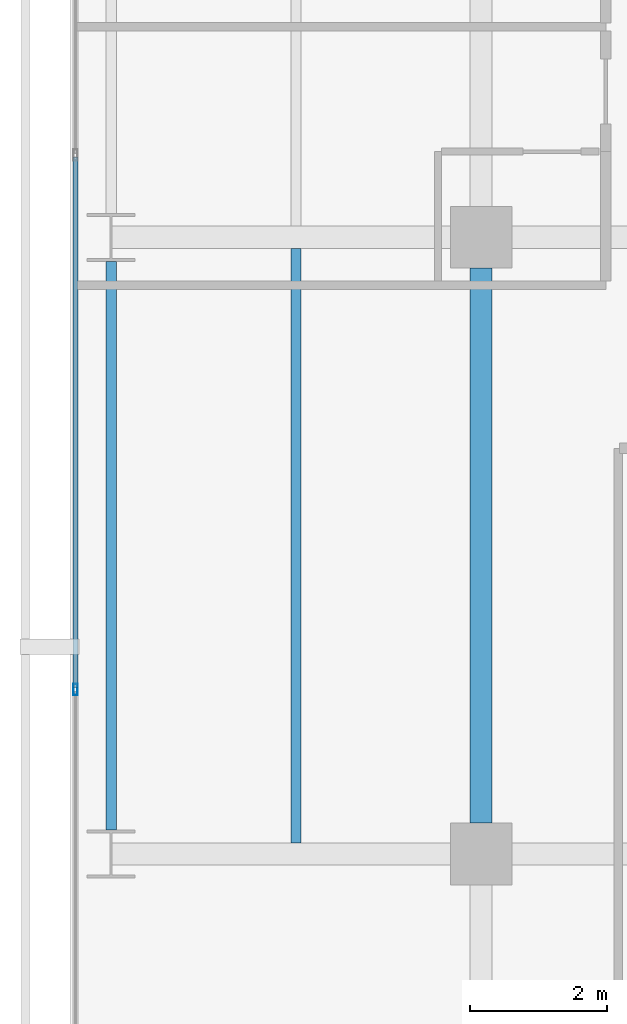
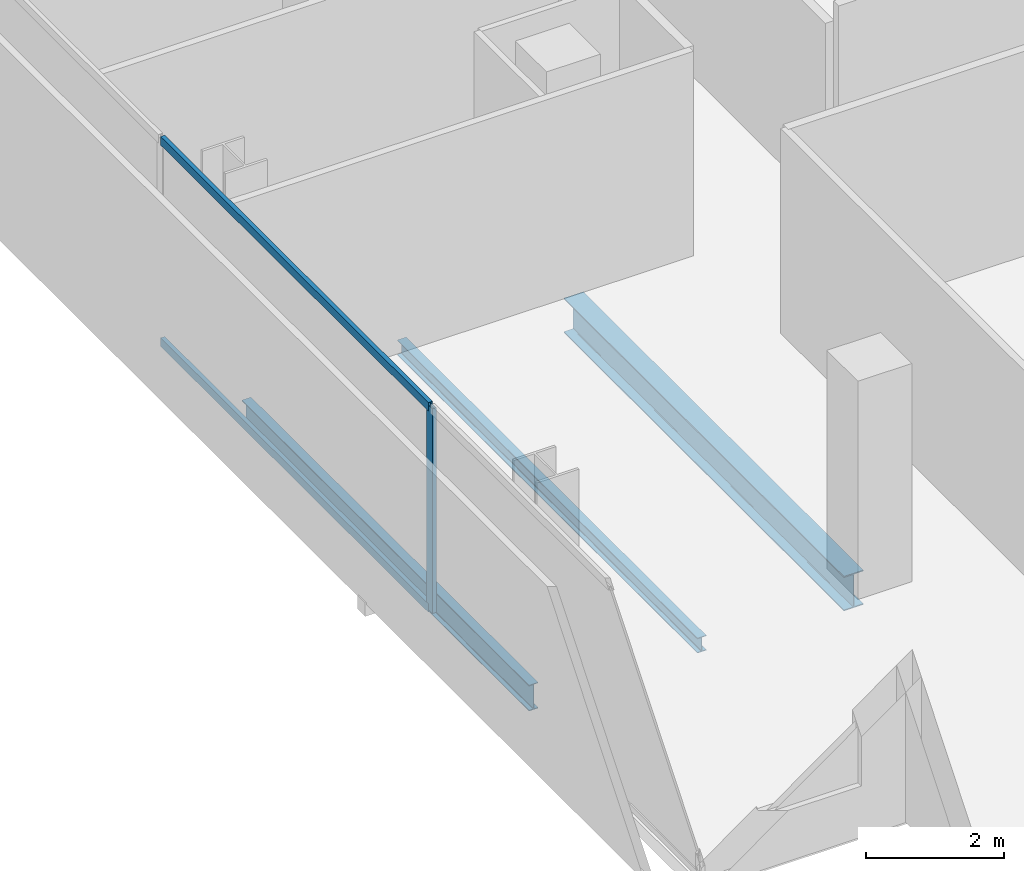
# One storey, part 5 of 40: 3 beams, 3 members, 1 element without a shape of its own.
"""IFC4 building model written with IfcOpenShell, lengths in metres."""

from ifc_helpers import new_model, si_unit, direction, frame, origin, origin_2d, place, context, subcontext, project, spatial, hollow_rectangle, i_section, extrude, material, layer, layer_set, material_profile, profile_set, type_object, element, aggregate, save


model = new_model("IFC4")

# Units and contexts
model_context = context("Model", 3, precision=1e-05, world=origin(), true_north=direction((0.0, 1.0)))
body_context = subcontext(model_context, "Body", "Model", "MODEL_VIEW")
ifc_project = project(units=[si_unit("LENGTHUNIT", "METRE"), si_unit("AREAUNIT", "SQUARE_METRE"), si_unit("VOLUMEUNIT", "CUBIC_METRE"), si_unit("PLANEANGLEUNIT", "RADIAN"), si_unit("MASSUNIT", "GRAM", prefix="KILO")], contexts=[model_context])

# Site, building, storey
site_placement = place(None, origin())
site = spatial("IfcSite", under=ifc_project, at=site_placement, CompositionType="ELEMENT")
building_placement = place(site_placement, origin())
building = spatial("IfcBuilding", under=site, at=building_placement, Name="Maruvema Waterfront Hotel and Observation Tower", CompositionType="ELEMENT")
storey_placement = place(building_placement, frame((0.0, 0.0, 103.949951171875)))
storey = spatial("IfcBuildingStorey", under=building, at=storey_placement, Name="L25", CompositionType="ELEMENT", Elevation=103.949951171875)

# Curtain wall, members
ifc_material_1 = material(Name="Anodised bronze aluminium and solar-control low-E IGU", Category="aluminium")
ifc_layer = layer(ifc_material_1, 0.159912109375, Name="Zone 1 Bronze Inner Thermal Curtain Wall System CW-02")
ifc_layer_set = layer_set([ifc_layer], Name="Anodised bronze aluminium and solar-control low-E IGU")
curtain_wall_type = type_object("IfcCurtainWallType", Name="Zone 1 Bronze Inner Thermal Curtain Wall System CW-02", PredefinedType="USERDEFINED", material=ifc_layer_set)
curtain_wall_placement = place(storey_placement, origin())
curtain_wall = element("IfcCurtainWall", 1, at=curtain_wall_placement, inside=storey, type_object=curtain_wall_type, Name="L25 Curtain Wall CW-L25-W", ObjectType="UNITISED CURTAIN WALL", PredefinedType="USERDEFINED")
ifc_material_2 = material(Name="Anodised architectural bronze aluminium", Category="aluminium")
ifc_material_profile_1 = material_profile(ifc_material_2, hollow_rectangle(XDim=0.070068359375, YDim=0.14990234375, WallThickness=0.00390625, at=origin_2d()), Name="ALU-T70x150")
ifc_profile_set_1 = profile_set([ifc_material_profile_1], Name="Anodised architectural bronze aluminium")
member_type_1 = type_object("IfcMemberType", Name="Curtain Wall Horizontal Transom ALU-T70x150", PredefinedType="USERDEFINED", material=ifc_profile_set_1)
member_1_placement = place(storey_placement, frame((10.8798828125, 19.169921875, 0.030029296875), z_axis=(0.0, -1.0, 0.0), x_axis=(1.0, 0.0, 0.0)))
member_1 = element("IfcMember", 2, at=member_1_placement, type_object=member_type_1, Name="CW-02 transom 5.1", ObjectType="TRANSOM", PredefinedType="USERDEFINED", context=body_context, shape_type="SweptSolid", body=[
    extrude(hollow_rectangle(XDim=0.070068359375, YDim=0.14990234375, WallThickness=0.00390625, at=origin_2d()), origin(), (0.0, 0.0, 1.0), 7.739990234375),
])
member_2_placement = place(storey_placement, frame((10.8798828125, 19.169921875, 3.580078125), z_axis=(0.0, -1.0, 0.0), x_axis=(1.0, 0.0, 0.0)))
member_2 = element("IfcMember", 3, at=member_2_placement, type_object=member_type_1, Name="CW-02 transom 5.2", ObjectType="TRANSOM", PredefinedType="USERDEFINED", context=body_context, shape_type="SweptSolid", body=[
    extrude(hollow_rectangle(XDim=0.070068359375, YDim=0.14990234375, WallThickness=0.00390625, at=origin_2d()), origin(), (0.0, 0.0, 1.0), 7.739990234375),
])
ifc_material_3 = material(Name="Anodised architectural bronze aluminium", Category="aluminium")
ifc_material_profile_2 = material_profile(ifc_material_3, hollow_rectangle(XDim=0.06494140625, YDim=0.1650390625, WallThickness=0.00390625, at=origin_2d()), Name="ALU-M65x165")
ifc_profile_set_2 = profile_set([ifc_material_profile_2], Name="Anodised architectural bronze aluminium")
member_type_2 = type_object("IfcMemberType", Name="Curtain Wall Primary Mullion ALU-M65x165", PredefinedType="MULLION", material=ifc_profile_set_2)
member_3_placement = place(storey_placement, frame((10.8798828125, 11.39990234375, 0.0), z_axis=(0.0, 0.0, 1.0), x_axis=(1.0, 0.0, 0.0)))
member_3 = element("IfcMember", 4, at=member_3_placement, type_object=member_type_2, Name="CW-02 mullion 6", PredefinedType="MULLION", context=body_context, shape_type="SweptSolid", body=[
    extrude(hollow_rectangle(XDim=0.06494140625, YDim=0.1650390625, WallThickness=0.00390625, at=origin_2d()), origin(), (0.0, 0.0, 1.0), 3.610107421875),
])
aggregate(curtain_wall, [member_3, member_1, member_2])

# Beams
ifc_material_4 = material(Name="Steel ASTM A572 Grade 50", Category="steel")
ifc_material_profile_3 = material_profile(ifc_material_4, i_section(OverallWidth=0.153076171875, OverallDepth=0.455078125, WebThickness=0.008056640625, FlangeThickness=0.01318359375, FilletRadius=0.014892578125, at=origin_2d()), Name="W460x60.0")
ifc_profile_set_3 = profile_set([ifc_material_profile_3], Name="Steel ASTM A572 Grade 50")
beam_type_1 = type_object("IfcBeamType", Name="Perimeter Spandrel Beam W460x60.0", PredefinedType="SPANDREL", material=ifc_profile_set_3)
beam_1_placement = place(storey_placement, frame((11.39990234375, 9.35009765625, -0.467529296875), z_axis=(0.0, 1.0, 0.0), x_axis=(-1.0, 0.0, 0.0)))
element("IfcBeam", 5, at=beam_1_placement, inside=storey, type_object=beam_type_1, Name="L25 Floor Girder NS-01", PredefinedType="SPANDREL", context=body_context, shape_type="SweptSolid", body=[
    extrude(i_section(OverallWidth=0.153076171875, OverallDepth=0.455078125, WebThickness=0.008056640625, FlangeThickness=0.01318359375, FilletRadius=0.014892578125, at=origin_2d()), origin(), (0.0, 0.0, 1.0), 8.2998046875),
])
ifc_material_5 = material(Name="Steel ASTM A572 Grade 50", Category="steel")
ifc_material_profile_4 = material_profile(ifc_material_5, i_section(OverallWidth=0.323974609375, OverallDepth=0.611083984375, WebThickness=0.0126953125, FlangeThickness=0.01904296875, FilletRadius=0.01806640625, at=origin_2d()), Name="W610x155.0")
ifc_profile_set_4 = profile_set([ifc_material_profile_4], Name="Steel ASTM A572 Grade 50")
beam_type_2 = type_object("IfcBeamType", Name="Primary Floor Girder W610x155.0", PredefinedType="BEAM", material=ifc_profile_set_4)
beam_2_placement = place(storey_placement, frame((16.800048828125, 9.449951171875, -0.54541015625), z_axis=(0.0, 1.0, 0.0), x_axis=(-1.0, 0.0, 0.0)))
element("IfcBeam", 6, at=beam_2_placement, inside=storey, type_object=beam_type_2, Name="L25 Floor Girder NS-06", PredefinedType="BEAM", context=body_context, shape_type="SweptSolid", body=[
    extrude(i_section(OverallWidth=0.323974609375, OverallDepth=0.611083984375, WebThickness=0.0126953125, FlangeThickness=0.01904296875, FilletRadius=0.01806640625, at=origin_2d()), origin(), (0.0, 0.0, 1.0), 8.10009765625),
])
ifc_material_6 = material(Name="Steel ASTM A572 Grade 50", Category="steel")
ifc_material_profile_5 = material_profile(ifc_material_6, i_section(OverallWidth=0.14794921875, OverallDepth=0.26611328125, WebThickness=0.007568359375, FlangeThickness=0.012939453125, FilletRadius=0.012939453125, at=origin_2d()), Name="W250x44.8")
ifc_profile_set_5 = profile_set([ifc_material_profile_5], Name="Steel ASTM A572 Grade 50")
beam_type_3 = type_object("IfcBeamType", Name="Secondary Floor Joist W250x44.8", PredefinedType="JOIST", material=ifc_profile_set_5)
beam_3_placement = place(storey_placement, frame((14.10009765625, 9.162109375, -0.373046875), z_axis=(0.0, 1.0, 0.0), x_axis=(-1.0, 0.0, 0.0)))
element("IfcBeam", 7, at=beam_3_placement, inside=storey, type_object=beam_type_3, Name="L25 Secondary Floor Joist JS-01", PredefinedType="JOIST", context=body_context, shape_type="SweptSolid", body=[
    extrude(i_section(OverallWidth=0.14794921875, OverallDepth=0.26611328125, WebThickness=0.007568359375, FlangeThickness=0.012939453125, FilletRadius=0.012939453125, at=origin_2d()), origin(), (0.0, 0.0, 1.0), 8.67578125),
])

save(model, "model.ifc")
